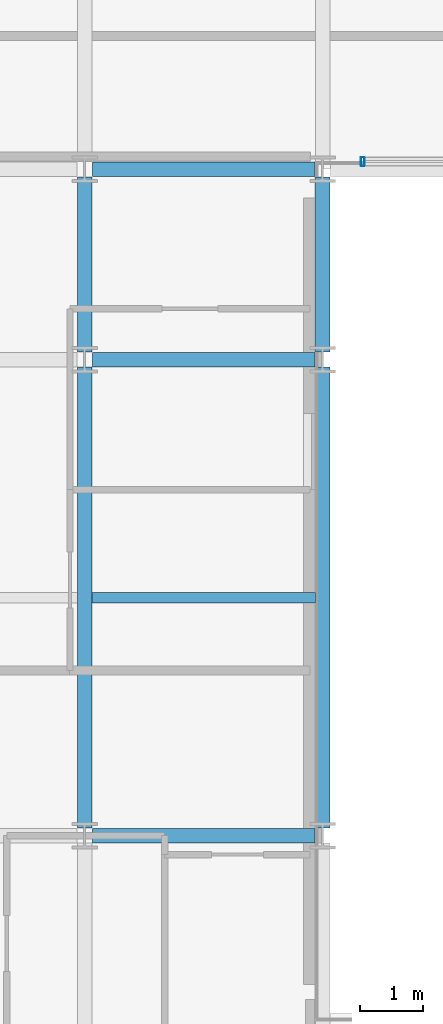
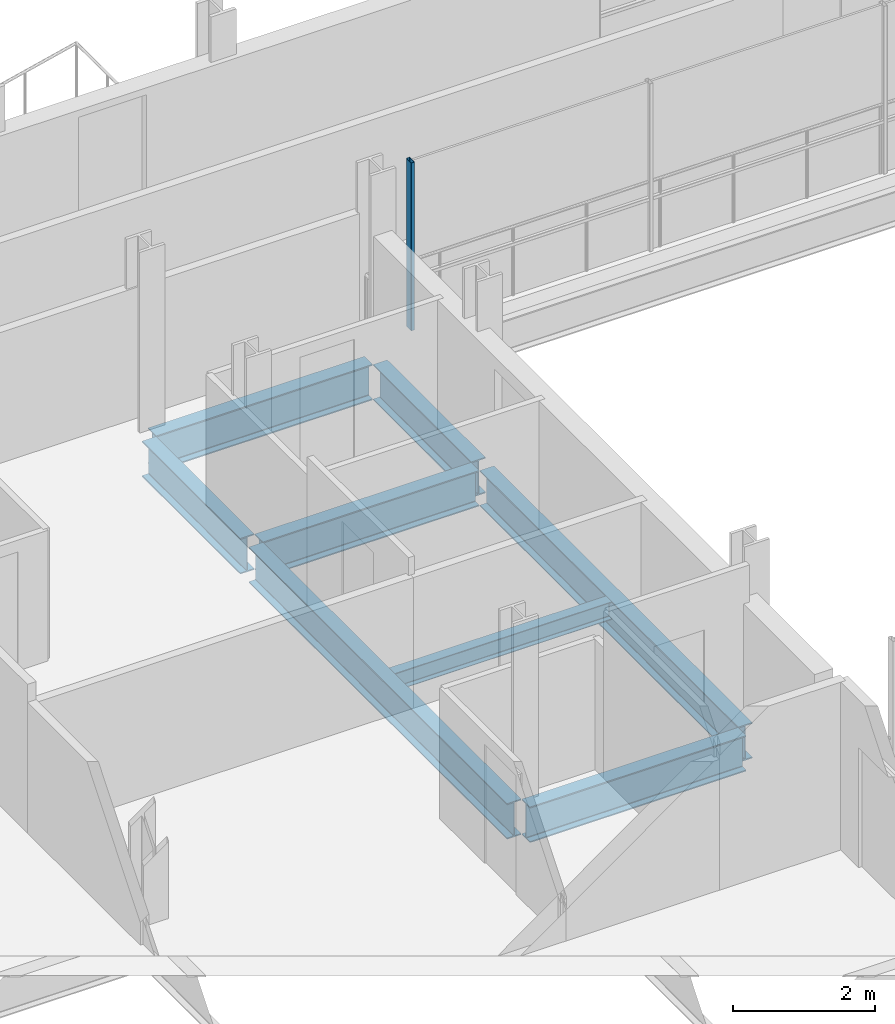
# One storey, part 8 of 38: 8 beams, 1 member, 1 element without a shape of its own.
"""IFC4 building model written with IfcOpenShell, lengths in metres."""

from ifc_helpers import new_model, si_unit, direction, frame, origin, origin_2d, place, context, subcontext, project, spatial, hollow_rectangle, i_section, extrude, material, layer, layer_set, material_profile, profile_set, type_object, element, aggregate, save


model = new_model("IFC4")

# Units and contexts
model_context = context("Model", 3, precision=1e-05, world=origin(), true_north=direction((0.0, 1.0)))
body_context = subcontext(model_context, "Body", "Model", "MODEL_VIEW")
ifc_project = project(units=[si_unit("LENGTHUNIT", "METRE"), si_unit("AREAUNIT", "SQUARE_METRE"), si_unit("VOLUMEUNIT", "CUBIC_METRE"), si_unit("PLANEANGLEUNIT", "RADIAN"), si_unit("MASSUNIT", "GRAM", prefix="KILO")], contexts=[model_context])

# Site, building, storey
site_placement = place(None, origin())
site = spatial("IfcSite", under=ifc_project, at=site_placement, CompositionType="ELEMENT")
building_placement = place(site_placement, origin())
building = spatial("IfcBuilding", under=site, at=building_placement, Name="Brevholm Reach", CompositionType="ELEMENT")
storey_placement = place(building_placement, frame((0.0, 0.0, 122.10009765625)))
storey = spatial("IfcBuildingStorey", under=building, at=storey_placement, Name="L36", CompositionType="ELEMENT", Elevation=122.10009765625)

# Beams
ifc_material_1 = material(Name="Structural Steel S355J2", Category="steel")
ifc_material_profile_1 = material_profile(ifc_material_1, i_section(OverallWidth=0.1650390625, OverallDepth=0.303466796875, WebThickness=0.006103515625, FlangeThickness=0.01025390625, FilletRadius=0.0087890625, at=origin_2d()), Name="UKB 305x165x40")
ifc_profile_set_1 = profile_set([ifc_material_profile_1], Name="Structural Steel S355J2")
beam_type_1 = type_object("IfcBeamType", Name="BM-B305", PredefinedType="BEAM", material=ifc_profile_set_1)
beam_1_placement = place(storey_placement, frame((18.114501953125, 19.75, -0.371826171875), z_axis=(1.0, 0.0, 0.0), x_axis=(0.0, 1.0, 0.0)))
element("IfcBeam", 1, at=beam_1_placement, inside=storey, type_object=beam_type_1, Name="L36 Composite Secondary Floor Beam", PredefinedType="BEAM", context=body_context, shape_type="SweptSolid", body=[
    extrude(i_section(OverallWidth=0.1650390625, OverallDepth=0.303466796875, WebThickness=0.006103515625, FlangeThickness=0.01025390625, FilletRadius=0.0087890625, at=origin_2d()), origin(), (0.0, 0.0, 1.0), 3.52099609375),
])
ifc_material_2 = material(Name="Structural Steel S355J2", Category="steel")
ifc_material_profile_2 = material_profile(ifc_material_2, i_section(OverallWidth=0.22900390625, OverallDepth=0.6123046875, WebThickness=0.011962890625, FlangeThickness=0.01953125, FilletRadius=0.0126953125, at=origin_2d()), Name="UKB 610x229x125")
ifc_profile_set_2 = profile_set([ifc_material_profile_2], Name="Structural Steel S355J2")
beam_type_2 = type_object("IfcBeamType", Name="BM-SP610", PredefinedType="SPANDREL", material=ifc_profile_set_2)
for number, where, z_axis, x_axis, name in (
    (2, (18.1201171875, 16.0, -0.526123046875), (1.0, 0.0, 0.0), (0.0, 1.0, 0.0), "L36 SP-01 Framing Beam"),
    (3, (18.1201171875, 23.5, -0.526123046875), (1.0, 0.0, 0.0), (0.0, 1.0, 0.0), "L36 SP-01 Framing Beam"),
    (4, (18.1201171875, 26.5, -0.526123046875), (1.0, 0.0, 0.0), (0.0, 1.0, 0.0), "L36 SP-01 Framing Beam"),
):
    element("IfcBeam", number, at=place(storey_placement, frame(where, z_axis=z_axis, x_axis=x_axis)), inside=storey, type_object=beam_type_2, Name=name, PredefinedType="SPANDREL", context=body_context, shape_type="SweptSolid", body=[
        extrude(i_section(OverallWidth=0.22900390625, OverallDepth=0.6123046875, WebThickness=0.011962890625, FlangeThickness=0.01953125, FilletRadius=0.0126953125, at=origin_2d()), origin(), (0.0, 0.0, 1.0), 3.509765625),
    ])
beam_2_placement = place(storey_placement, frame((18.0, 16.1201171875, -0.526123046875), z_axis=(0.0, 1.0, 0.0), x_axis=(-1.0, 0.0, 0.0)))
element("IfcBeam", 5, at=beam_2_placement, inside=storey, type_object=beam_type_2, Name="L36 SP-01 Framing Beam", PredefinedType="SPANDREL", context=body_context, shape_type="SweptSolid", body=[
    extrude(i_section(OverallWidth=0.22900390625, OverallDepth=0.6123046875, WebThickness=0.011962890625, FlangeThickness=0.01953125, FilletRadius=0.0126953125, at=origin_2d()), origin(), (0.0, 0.0, 1.0), 7.259765625),
])
beam_3_placement = place(storey_placement, frame((18.0, 23.6201171875, -0.526123046875), z_axis=(0.0, 1.0, 0.0), x_axis=(-1.0, 0.0, 0.0)))
element("IfcBeam", 6, at=beam_3_placement, inside=storey, type_object=beam_type_2, Name="L36 SP-01 Framing Beam", PredefinedType="SPANDREL", context=body_context, shape_type="SweptSolid", body=[
    extrude(i_section(OverallWidth=0.22900390625, OverallDepth=0.6123046875, WebThickness=0.011962890625, FlangeThickness=0.01953125, FilletRadius=0.0126953125, at=origin_2d()), origin(), (0.0, 0.0, 1.0), 2.759765625),
])
beam_4_placement = place(storey_placement, frame((21.75, 16.1201171875, -0.526123046875), z_axis=(0.0, 1.0, 0.0), x_axis=(-1.0, 0.0, 0.0)))
element("IfcBeam", 7, at=beam_4_placement, inside=storey, type_object=beam_type_2, Name="L36 SP-01 Framing Beam", PredefinedType="SPANDREL", context=body_context, shape_type="SweptSolid", body=[
    extrude(i_section(OverallWidth=0.22900390625, OverallDepth=0.6123046875, WebThickness=0.011962890625, FlangeThickness=0.01953125, FilletRadius=0.0126953125, at=origin_2d()), origin(), (0.0, 0.0, 1.0), 7.259765625),
])
beam_5_placement = place(storey_placement, frame((21.75, 23.6201171875, -0.526123046875), z_axis=(0.0, 1.0, 0.0), x_axis=(-1.0, 0.0, 0.0)))
element("IfcBeam", 8, at=beam_5_placement, inside=storey, type_object=beam_type_2, Name="L36 SP-01 Framing Beam", PredefinedType="SPANDREL", context=body_context, shape_type="SweptSolid", body=[
    extrude(i_section(OverallWidth=0.22900390625, OverallDepth=0.6123046875, WebThickness=0.011962890625, FlangeThickness=0.01953125, FilletRadius=0.0126953125, at=origin_2d()), origin(), (0.0, 0.0, 1.0), 2.759765625),
])

# Curtain wall, member
ifc_material_3 = material(Name="Dark Anodised Aluminium 6063-T6 and Solar-Control Glass", Category="aluminium")
ifc_layer = layer(ifc_material_3, 0.139892578125)
ifc_layer_set = layer_set([ifc_layer], Name="Dark Anodised Aluminium 6063-T6 and Solar-Control Glass")
curtain_wall_type = type_object("IfcCurtainWallType", Name="CW-02", PredefinedType="NOTDEFINED", material=ifc_layer_set)
curtain_wall_placement = place(storey_placement, origin())
curtain_wall = element("IfcCurtainWall", 9, at=curtain_wall_placement, inside=storey, type_object=curtain_wall_type, Name="L36 Curtain Wall CW-02", PredefinedType="NOTDEFINED")
ifc_material_4 = material(Name="Dark Anodised Aluminium 6063-T6", Category="aluminium")
ifc_material_profile_3 = material_profile(ifc_material_4, hollow_rectangle(XDim=0.06005859375, YDim=0.139892578125, WallThickness=0.0048828125, InnerFilletRadius=0.0048828125, OuterFilletRadius=0.010009765625, at=origin_2d()), Name="RHS 140x60x5")
ifc_profile_set_3 = profile_set([ifc_material_profile_3], Name="Dark Anodised Aluminium 6063-T6")
member_type = type_object("IfcMemberType", Name="CWM-140", PredefinedType="MULLION", material=ifc_profile_set_3)
member_placement = place(storey_placement, frame((22.3798828125, 26.6201171875, 0.0), z_axis=(0.0, 0.0, 1.0), x_axis=(-1.0, 0.0, 0.0)))
member = element("IfcMember", 10, at=member_placement, type_object=member_type, Name="CM-140 Mullion 5", PredefinedType="MULLION", context=body_context, shape_type="SweptSolid", body=[
    extrude(hollow_rectangle(XDim=0.06005859375, YDim=0.139892578125, WallThickness=0.0048828125, InnerFilletRadius=0.0048828125, OuterFilletRadius=0.010009765625, at=origin_2d()), origin(), (0.0, 0.0, 1.0), 2.8798828125),
])
aggregate(curtain_wall, [member])

save(model, "model.ifc")
